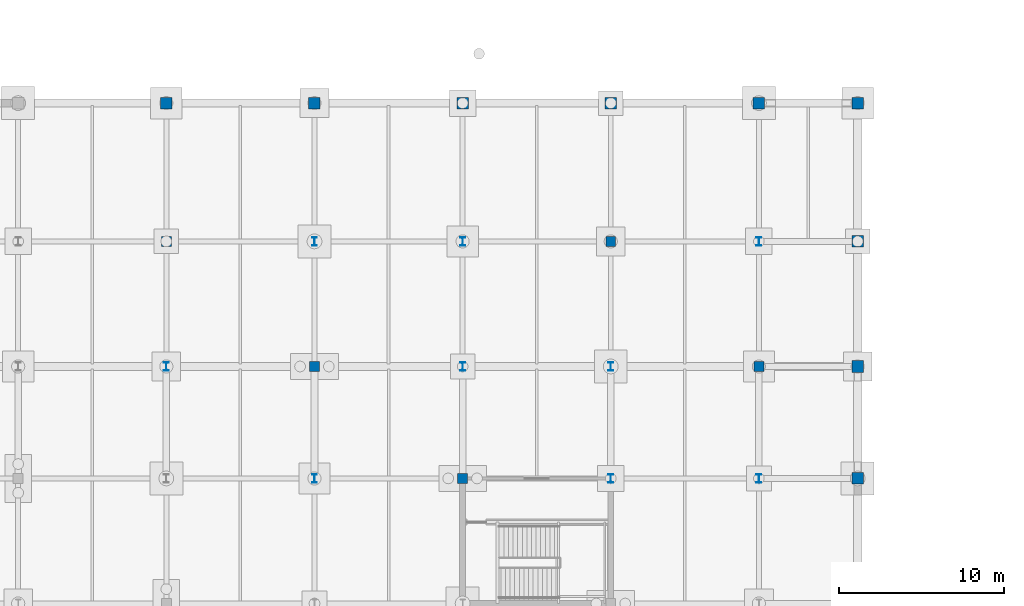
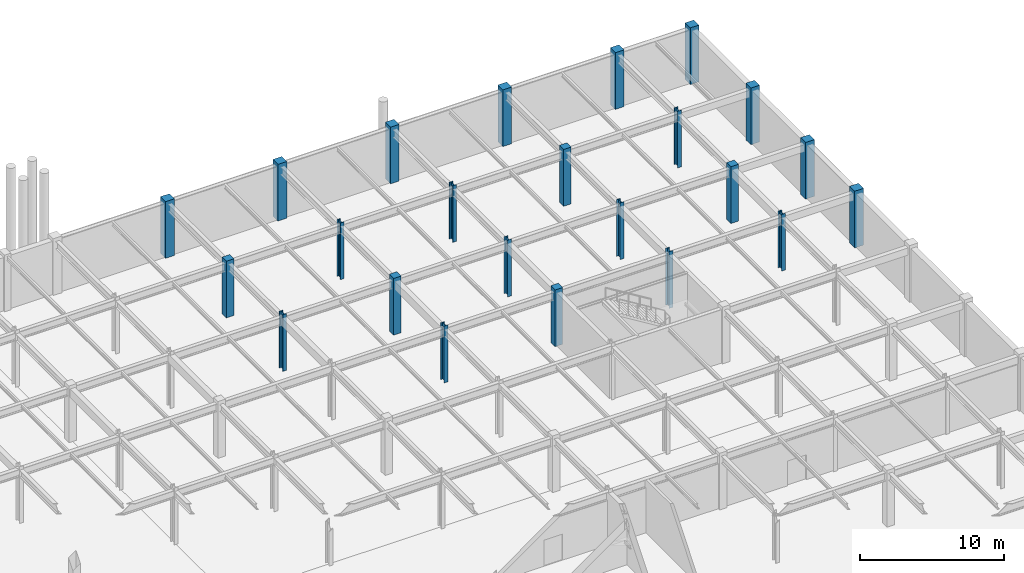
# One storey, part 28 of 53: 23 columns.
"""IFC4 building model written with IfcOpenShell, lengths in metres."""

from ifc_helpers import new_model, si_unit, direction, frame, origin, origin_2d, place, context, subcontext, project, spatial, rectangle, i_section, extrude, material, material_profile, profile_set, type_object, element, save


model = new_model("IFC4")

# Units and contexts
model_context = context("Model", 3, precision=1e-05, world=origin(), true_north=direction((0.0, 1.0)))
body_context = subcontext(model_context, "Body", "Model", "MODEL_VIEW")
ifc_project = project(units=[si_unit("LENGTHUNIT", "METRE"), si_unit("AREAUNIT", "SQUARE_METRE"), si_unit("VOLUMEUNIT", "CUBIC_METRE"), si_unit("PLANEANGLEUNIT", "RADIAN"), si_unit("MASSUNIT", "GRAM", prefix="KILO")], contexts=[model_context])

# Site, building, storey
site_placement = place(None, origin())
site = spatial("IfcSite", under=ifc_project, at=site_placement, CompositionType="ELEMENT")
building_placement = place(site_placement, origin())
building = spatial("IfcBuilding", under=site, at=building_placement, Name="Shalkamar Park Central Library", CompositionType="ELEMENT")
storey_placement = place(building_placement, frame((0.0, 0.0, -4.800048828125)))
storey = spatial("IfcBuildingStorey", under=building, at=storey_placement, Name="B1", CompositionType="ELEMENT", Elevation=-4.800048828125)

# Columns
ifc_material_1 = material(Name="Concrete C40/50", Category="concrete")
ifc_material_profile_1 = material_profile(ifc_material_1, rectangle(XDim=0.60009765625, YDim=0.60009765625, at=origin_2d()), Name="RC 600x600")
ifc_profile_set_1 = profile_set([ifc_material_profile_1], Name="Concrete C40/50")
column_type_1 = type_object("IfcColumnType", Name="Column Concrete RC600", PredefinedType="COLUMN", material=ifc_profile_set_1)
for number, where, z_axis, x_axis, name in (
    (1, (246.0, 345.60009765625, 0.0), (0.0, 0.0, 1.0), (1.0, 0.0, 0.0), "Column 17/Q (B1)"),
    (2, (255.0, 338.0, 0.0), (0.0, 0.0, 1.0), (1.0, 0.0, 0.0), "Column 18/P (B1)"),
    (3, (264.0, 331.199951171875, 0.0), (0.0, 0.0, 1.0), (1.0, 0.0, 0.0), "Column 19/N (B1)"),
    (4, (273.0, 345.60009765625, 0.0), (0.0, 0.0, 1.0), (1.0, 0.0, 0.0), "Column 20/Q (B1)"),
    (5, (282.0, 338.0, 0.0), (0.0, 0.0, 1.0), (1.0, 0.0, 0.0), "Column 21/P (B1)"),
):
    element("IfcColumn", number, at=place(storey_placement, frame(where, z_axis=z_axis, x_axis=x_axis)), inside=storey, type_object=column_type_1, Name=name, PredefinedType="COLUMN", context=body_context, shape_type="SweptSolid", body=[
        extrude(rectangle(XDim=0.60009765625, YDim=0.60009765625, at=origin_2d()), origin(), (0.0, 0.0, 1.0), 4.800048828125),
    ])
ifc_material_profile_2 = material_profile(ifc_material_1, rectangle(XDim=0.699951171875, YDim=0.699951171875, at=origin_2d()), Name="RC 700x700")
ifc_profile_set_2 = profile_set([ifc_material_profile_2], Name="Concrete C40/50")
column_type_2 = type_object("IfcColumnType", Name="Column Concrete RC700", PredefinedType="COLUMN", material=ifc_profile_set_2)
for number, where, z_axis, x_axis, name in (
    (6, (246.0, 354.0, 0.0), (0.0, 0.0, 1.0), (1.0, 0.0, 0.0), "Column 17/R (B1)"),
    (7, (255.0, 354.0, 0.0), (0.0, 0.0, 1.0), (1.0, 0.0, 0.0), "Column 18/R (B1)"),
    (8, (264.0, 354.0, 0.0), (0.0, 0.0, 1.0), (1.0, 0.0, 0.0), "Column 19/R (B1)"),
    (9, (273.0, 354.0, 0.0), (0.0, 0.0, 1.0), (1.0, 0.0, 0.0), "Column 20/R (B1)"),
    (10, (282.0, 354.0, 0.0), (0.0, 0.0, 1.0), (1.0, 0.0, 0.0), "Column 21/R (B1)"),
    (11, (288.0, 331.199951171875, 0.0), (0.0, 0.0, 1.0), (1.0, 0.0, 0.0), "Column 22/N (B1)"),
    (12, (288.0, 338.0, 0.0), (0.0, 0.0, 1.0), (1.0, 0.0, 0.0), "Column 22/P (B1)"),
    (13, (288.0, 345.60009765625, 0.0), (0.0, 0.0, 1.0), (1.0, 0.0, 0.0), "Column 22/Q (B1)"),
    (14, (288.0, 354.0, 0.0), (0.0, 0.0, 1.0), (1.0, 0.0, 0.0), "Column 22/R (B1)"),
):
    element("IfcColumn", number, at=place(storey_placement, frame(where, z_axis=z_axis, x_axis=x_axis)), inside=storey, type_object=column_type_2, Name=name, PredefinedType="COLUMN", context=body_context, shape_type="SweptSolid", body=[
        extrude(rectangle(XDim=0.699951171875, YDim=0.699951171875, at=origin_2d()), origin(), (0.0, 0.0, 1.0), 4.800048828125),
    ])
ifc_material_2 = material(Name="Steel S355", Category="steel")
ifc_material_profile_3 = material_profile(ifc_material_2, i_section(OverallWidth=0.300048828125, OverallDepth=0.5, WebThickness=0.014404296875, FlangeThickness=0.028076171875, FilletRadius=0.027099609375, at=origin_2d()), Name="HEB 500")
ifc_profile_set_3 = profile_set([ifc_material_profile_3], Name="Steel S355")
column_type_3 = type_object("IfcColumnType", Name="Column Steel HEB500", PredefinedType="COLUMN", material=ifc_profile_set_3)
for number, where, z_axis, x_axis, name in (
    (15, (246.0, 338.0, 0.0), (0.0, 0.0, 1.0), (1.0, 0.0, 0.0), "Column 17/P (B1)"),
    (16, (255.0, 331.199951171875, 0.0), (0.0, 0.0, 1.0), (1.0, 0.0, 0.0), "Column 18/N (B1)"),
    (17, (255.0, 345.60009765625, 0.0), (0.0, 0.0, 1.0), (1.0, 0.0, 0.0), "Column 18/Q (B1)"),
    (18, (264.0, 338.0, 0.0), (0.0, 0.0, 1.0), (1.0, 0.0, 0.0), "Column 19/P (B1)"),
    (19, (264.0, 345.60009765625, 0.0), (0.0, 0.0, 1.0), (1.0, 0.0, 0.0), "Column 19/Q (B1)"),
    (20, (273.0, 331.199951171875, 0.0), (0.0, 0.0, 1.0), (1.0, 0.0, 0.0), "Column 20/N (B1)"),
    (21, (273.0, 338.0, 0.0), (0.0, 0.0, 1.0), (1.0, 0.0, 0.0), "Column 20/P (B1)"),
    (22, (282.0, 331.199951171875, 0.0), (0.0, 0.0, 1.0), (1.0, 0.0, 0.0), "Column 21/N (B1)"),
    (23, (282.0, 345.60009765625, 0.0), (0.0, 0.0, 1.0), (1.0, 0.0, 0.0), "Column 21/Q (B1)"),
):
    element("IfcColumn", number, at=place(storey_placement, frame(where, z_axis=z_axis, x_axis=x_axis)), inside=storey, type_object=column_type_3, Name=name, PredefinedType="COLUMN", context=body_context, shape_type="SweptSolid", body=[
        extrude(i_section(OverallWidth=0.300048828125, OverallDepth=0.5, WebThickness=0.014404296875, FlangeThickness=0.028076171875, FilletRadius=0.027099609375, at=origin_2d()), origin(), (0.0, 0.0, 1.0), 4.800048828125),
    ])

save(model, "model.ifc")
